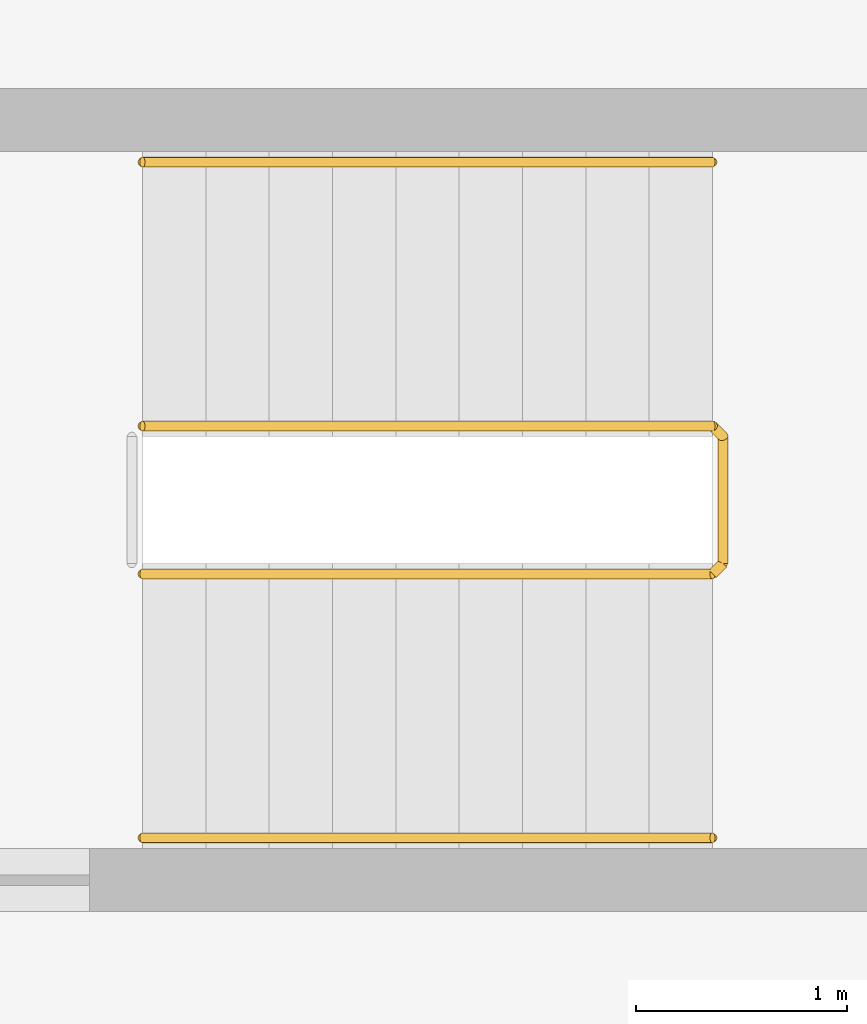
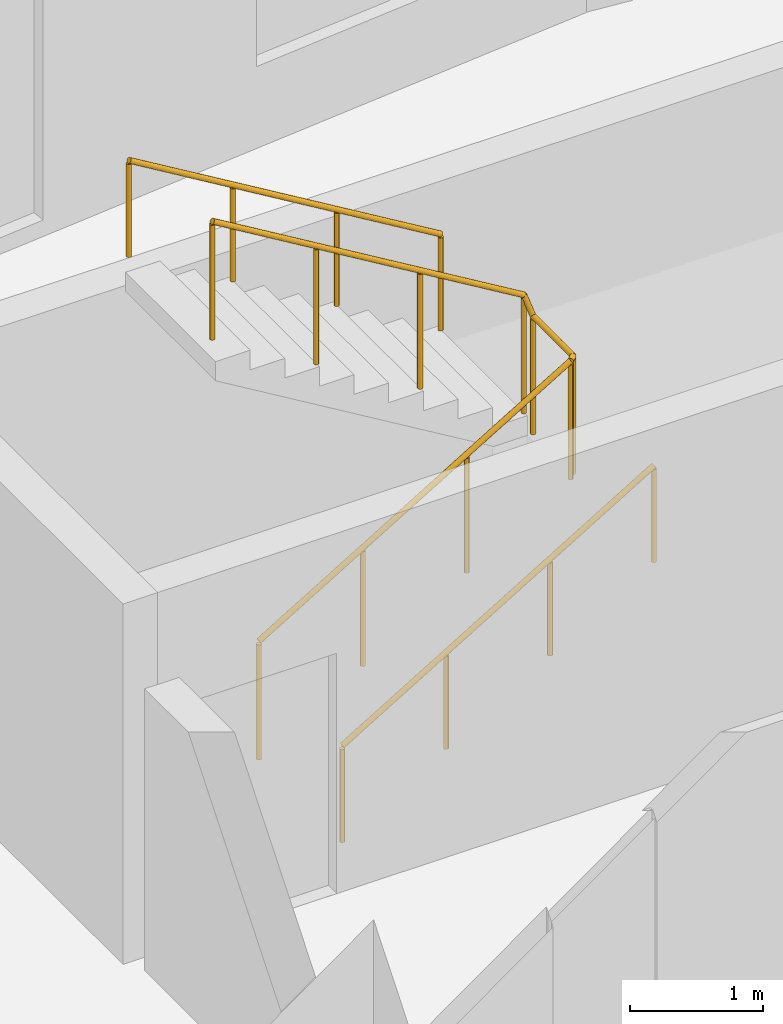
# One storey, part 12 of 12: 3 railings.
"""IFC4 building model written with IfcOpenShell, lengths in metres."""

from ifc_helpers import new_model, si_unit, direction, frame, origin, origin_2d, place, context, subcontext, project, spatial, circle, extrude, material, type_object, element, save


model = new_model("IFC4")

# Units and contexts
model_context = context("Model", 3, precision=1e-05, world=origin(), true_north=direction((0.0, 1.0)))
body_context = subcontext(model_context, "Body", "Model", "MODEL_VIEW")
ifc_project = project(units=[si_unit("LENGTHUNIT", "METRE"), si_unit("AREAUNIT", "SQUARE_METRE"), si_unit("VOLUMEUNIT", "CUBIC_METRE"), si_unit("PLANEANGLEUNIT", "RADIAN"), si_unit("MASSUNIT", "GRAM", prefix="KILO")], contexts=[model_context])

# Site, building, storey
site_placement = place(None, origin())
site = spatial("IfcSite", under=ifc_project, at=site_placement, CompositionType="ELEMENT")
building_placement = place(site_placement, origin())
building = spatial("IfcBuilding", under=site, at=building_placement, Name="Brondeck Convention Tower", CompositionType="ELEMENT")
storey_placement = place(building_placement, frame((0.0, 0.0, 59.10009765625)))
storey = spatial("IfcBuildingStorey", under=building, at=storey_placement, Name="L12", CompositionType="ELEMENT", Elevation=59.10009765625)

# Railings
ifc_material = material(Name="Steel S355", Category="steel")
railing_type_1 = type_object("IfcRailingType", Name="Stair guard 1100", PredefinedType="GUARDRAIL", material=ifc_material)
railing_1_placement = place(storey_placement, frame((37.85009765625, 55.449951171875, 0.179931640625)))
element("IfcRailing", 1, at=railing_1_placement, inside=storey, type_object=railing_type_1, Name="L12 ST-AE stair guard 1", PredefinedType="GUARDRAIL", context=body_context, shape_type="SweptSolid", body=[
    extrude(circle(Radius=0.02392578125, at=origin_2d()), frame((0.0, 0.0, 1.076171875), z_axis=(0.857506608807, 0.0, 0.514472949583), x_axis=(0.0, 1.0, 0.0)), (0.0, 0.0, 1.0), 3.148681640625),
    extrude(circle(Radius=0.02392578125, at=origin_2d()), frame((2.699951171875, 0.0, 2.69580078125), z_axis=(0.707106781187, 0.707106781187, 0.0), x_axis=(-0.707106781187, 0.707106781187, 0.0)), (0.0, 0.0, 1.0), 0.07080078125),
    extrude(circle(Radius=0.02392578125, at=origin_2d()), frame((2.75, 0.050048828125, 2.69580078125), z_axis=(0.0, 1.0, 0.0), x_axis=(-1.0, 0.0, 0.0)), (0.0, 0.0, 1.0), 0.60009765625),
    extrude(circle(Radius=0.02392578125, at=origin_2d()), frame((2.75, 0.650146484375, 2.69580078125), z_axis=(-0.258627984543, 0.257366384619, 0.931060744355), x_axis=(-0.705375805398, -0.708833529934, 0.0)), (0.0, 0.0, 1.0), 0.193603515625),
    extrude(circle(Radius=0.02392578125, at=origin_2d()), frame((2.699951171875, 0.699951171875, 2.8759765625), z_axis=(-0.857506608807, 0.0, 0.514472949583), x_axis=(0.0, -1.0, 0.0)), (0.0, 0.0, 1.0), 3.148681640625),
    extrude(circle(Radius=0.02099609375, at=origin_2d()), origin(), (0.0, 0.0, 1.0), 1.052001953125),
    extrude(circle(Radius=0.02099609375, at=origin_2d()), frame((0.89990234375, 0.0, 0.5400390625)), (0.0, 0.0, 1.0), 1.052001953125),
    extrude(circle(Radius=0.02099609375, at=origin_2d()), frame((1.800048828125, 0.0, 1.079833984375)), (0.0, 0.0, 1.0), 1.052001953125),
    extrude(circle(Radius=0.02099609375, at=origin_2d()), frame((2.699951171875, 0.0, 1.619873046875)), (0.0, 0.0, 1.0), 1.052001953125),
    extrude(circle(Radius=0.02099609375, at=origin_2d()), frame((2.75, 0.050048828125, 1.619873046875)), (0.0, 0.0, 1.0), 1.052001953125),
    extrude(circle(Radius=0.02099609375, at=origin_2d()), frame((2.75, 0.650146484375, 1.619873046875)), (0.0, 0.0, 1.0), 1.052001953125),
    extrude(circle(Radius=0.02099609375, at=origin_2d()), frame((2.699951171875, 0.699951171875, 1.800048828125)), (0.0, 0.0, 1.0), 1.052001953125),
    extrude(circle(Radius=0.02099609375, at=origin_2d()), frame((1.800048828125, 0.699951171875, 2.340087890625)), (0.0, 0.0, 1.0), 1.052001953125),
    extrude(circle(Radius=0.02099609375, at=origin_2d()), frame((0.89990234375, 0.699951171875, 2.8798828125)), (0.0, 0.0, 1.0), 1.052001953125),
    extrude(circle(Radius=0.02099609375, at=origin_2d()), frame((0.0, 0.699951171875, 3.419921875)), (0.0, 0.0, 1.0), 1.052001953125),
])
railing_type_2 = type_object("IfcRailingType", Name="Stair handrail", PredefinedType="HANDRAIL", material=ifc_material)
railing_2_placement = place(storey_placement, frame((37.85009765625, 54.199951171875, 0.179931640625)))
element("IfcRailing", 2, at=railing_2_placement, inside=storey, type_object=railing_type_2, Name="L12 ST-AE stair handrail 1", PredefinedType="HANDRAIL", context=body_context, shape_type="SweptSolid", body=[
    extrude(circle(Radius=0.02392578125, at=origin_2d()), frame((0.0, 0.0, 0.8759765625), z_axis=(0.857506608807, 0.0, 0.514472949583), x_axis=(0.0, 1.0, 0.0)), (0.0, 0.0, 1.0), 3.148681640625),
    extrude(circle(Radius=0.02099609375, at=origin_2d()), origin(), (0.0, 0.0, 1.0), 0.851806640625),
    extrude(circle(Radius=0.02099609375, at=origin_2d()), frame((0.89990234375, 0.0, 0.5400390625)), (0.0, 0.0, 1.0), 0.851806640625),
    extrude(circle(Radius=0.02099609375, at=origin_2d()), frame((1.800048828125, 0.0, 1.079833984375)), (0.0, 0.0, 1.0), 0.851806640625),
    extrude(circle(Radius=0.02099609375, at=origin_2d()), frame((2.699951171875, 0.0, 1.619873046875)), (0.0, 0.0, 1.0), 0.851806640625),
])
railing_3_placement = place(storey_placement, frame((40.550048828125, 57.39990234375, 1.97998046875)))
element("IfcRailing", 3, at=railing_3_placement, inside=storey, type_object=railing_type_2, Name="L12 ST-AE stair handrail 2", PredefinedType="HANDRAIL", context=body_context, shape_type="SweptSolid", body=[
    extrude(circle(Radius=0.02392578125, at=origin_2d()), frame((0.0, 0.0, 0.8759765625), z_axis=(-0.857506608807, 0.0, 0.514472949583), x_axis=(0.0, -1.0, 0.0)), (0.0, 0.0, 1.0), 3.148681640625),
    extrude(circle(Radius=0.02099609375, at=origin_2d()), origin(), (0.0, 0.0, 1.0), 0.851806640625),
    extrude(circle(Radius=0.02099609375, at=origin_2d()), frame((-0.89990234375, 0.0, 0.5400390625)), (0.0, 0.0, 1.0), 0.851806640625),
    extrude(circle(Radius=0.02099609375, at=origin_2d()), frame((-1.800048828125, 0.0, 1.079833984375)), (0.0, 0.0, 1.0), 0.851806640625),
    extrude(circle(Radius=0.02099609375, at=origin_2d()), frame((-2.699951171875, 0.0, 1.619873046875)), (0.0, 0.0, 1.0), 0.851806640625),
])

save(model, "model.ifc")
